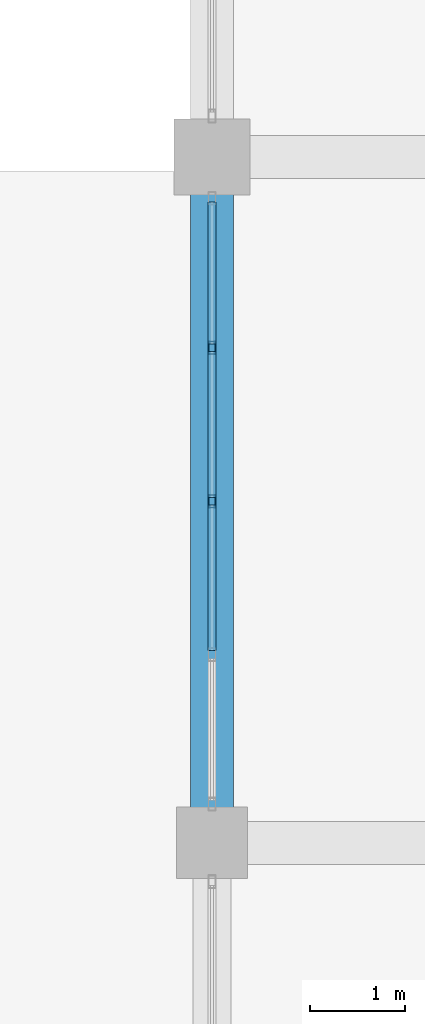
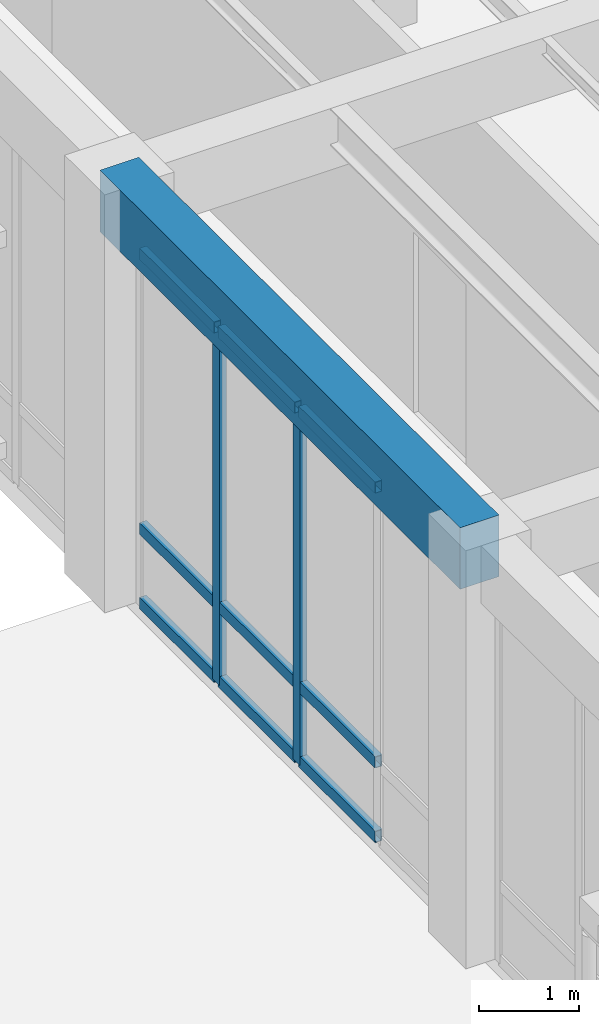
# One storey, part 33 of 169: 11 members, 1 beam, 1 element without a shape of its own.
"""IFC4 building model written with IfcOpenShell, lengths in metres."""

from ifc_helpers import new_model, si_unit, direction, frame, origin, origin_2d, place, context, subcontext, project, spatial, rectangle, hollow_rectangle, extrude, material, layer, layer_set, material_profile, profile_set, type_object, element, aggregate, save


model = new_model("IFC4")

# Units and contexts
model_context = context("Model", 3, precision=1e-05, world=origin(), true_north=direction((0.0, 1.0)))
body_context = subcontext(model_context, "Body", "Model", "MODEL_VIEW")
ifc_project = project(units=[si_unit("LENGTHUNIT", "METRE"), si_unit("AREAUNIT", "SQUARE_METRE"), si_unit("VOLUMEUNIT", "CUBIC_METRE"), si_unit("PLANEANGLEUNIT", "RADIAN"), si_unit("MASSUNIT", "GRAM", prefix="KILO")], contexts=[model_context])

# Site, building, storey
site_placement = place(None, origin())
site = spatial("IfcSite", under=ifc_project, at=site_placement, CompositionType="ELEMENT")
building_placement = place(site_placement, origin())
building = spatial("IfcBuilding", under=site, at=building_placement, Name="Mazaris Harbour Polytechnic", CompositionType="ELEMENT")
storey_placement = place(building_placement, origin())
storey = spatial("IfcBuildingStorey", under=building, at=storey_placement, Name="L00", CompositionType="ELEMENT", Elevation=0.0)

# Curtain wall, members
ifc_material_1 = material(Name="Anodised Bronze Aluminium and Low-E Glass", Category="aluminium")
ifc_layer = layer(ifc_material_1, 0.159912109375, Name="Anodised Bronze Aluminium and Low-E Glass")
ifc_layer_set = layer_set([ifc_layer], Name="Anodised Bronze Aluminium and Low-E Glass")
curtain_wall_type = type_object("IfcCurtainWallType", Name="Cloister Court Curtain Wall", PredefinedType="NOTDEFINED", material=ifc_layer_set)
curtain_wall_placement = place(storey_placement, origin())
curtain_wall = element("IfcCurtainWall", 1, at=curtain_wall_placement, inside=storey, type_object=curtain_wall_type, Name="V4 L00 Curtain Wall 109", PredefinedType="NOTDEFINED")
ifc_material_2 = material(Name="Anodised Bronze Steel S355", Category="steel")
ifc_material_profile_1 = material_profile(ifc_material_2, hollow_rectangle(XDim=0.080078125, YDim=0.139892578125, WallThickness=0.00634765625, at=origin_2d()), Name="RHS 80x140x6.3")
ifc_profile_set_1 = profile_set([ifc_material_profile_1], Name="Anodised Bronze Steel S355")
member_type_1 = type_object("IfcMemberType", Name="Curtain Mullion RHS80x140", PredefinedType="MULLION", material=ifc_profile_set_1)
member_1_placement = place(storey_placement, frame((28.800048828125, 59.19775390625, 0.0), z_axis=(0.0, 0.0, 1.0), x_axis=(1.0, 0.0, 0.0)))
member_1 = element("IfcMember", 2, at=member_1_placement, type_object=member_type_1, Name="CW-02 mullion 2", PredefinedType="MULLION", context=body_context, shape_type="SweptSolid", body=[
    extrude(hollow_rectangle(XDim=0.080078125, YDim=0.139892578125, WallThickness=0.00634765625, at=origin_2d()), origin(), (0.0, 0.0, 1.0), 4.340087890625),
])
member_2_placement = place(storey_placement, frame((28.800048828125, 57.58740234375, 0.0), z_axis=(0.0, 0.0, 1.0), x_axis=(1.0, 0.0, 0.0)))
member_2 = element("IfcMember", 3, at=member_2_placement, type_object=member_type_1, Name="CW-02 mullion 3", PredefinedType="MULLION", context=body_context, shape_type="SweptSolid", body=[
    extrude(hollow_rectangle(XDim=0.080078125, YDim=0.139892578125, WallThickness=0.00634765625, at=origin_2d()), origin(), (0.0, 0.0, 1.0), 4.340087890625),
])
ifc_material_3 = material(Name="Anodised Bronze Steel S355", Category="steel")
ifc_material_profile_2 = material_profile(ifc_material_3, hollow_rectangle(XDim=0.080078125, YDim=0.139892578125, WallThickness=0.00634765625, at=origin_2d()), Name="RHS 80x140x6.3")
ifc_profile_set_2 = profile_set([ifc_material_profile_2], Name="Anodised Bronze Steel S355")
member_type_2 = type_object("IfcMemberType", Name="Curtain Transom RHS80x140", PredefinedType="USERDEFINED", material=ifc_profile_set_2)
member_3_placement = place(storey_placement, frame((28.800048828125, 60.72802734375, 0.0400390625), z_axis=(0.0, -1.0, 0.0), x_axis=(1.0, 0.0, 0.0)))
member_3 = element("IfcMember", 4, at=member_3_placement, type_object=member_type_2, Name="CW-02 transom 1.1", ObjectType="TRANSOM", PredefinedType="USERDEFINED", context=body_context, shape_type="SweptSolid", body=[
    extrude(hollow_rectangle(XDim=0.080078125, YDim=0.139892578125, WallThickness=0.00634765625, at=origin_2d()), origin(), (0.0, 0.0, 1.0), 1.490234375),
])
member_4_placement = place(storey_placement, frame((28.800048828125, 60.72802734375, 0.949951171875), z_axis=(0.0, -1.0, 0.0), x_axis=(1.0, 0.0, 0.0)))
member_4 = element("IfcMember", 5, at=member_4_placement, type_object=member_type_2, Name="CW-02 transom 1.2", ObjectType="TRANSOM", PredefinedType="USERDEFINED", context=body_context, shape_type="SweptSolid", body=[
    extrude(hollow_rectangle(XDim=0.080078125, YDim=0.139892578125, WallThickness=0.00634765625, at=origin_2d()), origin(), (0.0, 0.0, 1.0), 1.490234375),
])
member_5_placement = place(storey_placement, frame((28.800048828125, 60.72802734375, 4.300048828125), z_axis=(0.0, -1.0, 0.0), x_axis=(1.0, 0.0, 0.0)))
member_5 = element("IfcMember", 6, at=member_5_placement, type_object=member_type_2, Name="CW-02 transom 1.3", ObjectType="TRANSOM", PredefinedType="USERDEFINED", context=body_context, shape_type="SweptSolid", body=[
    extrude(hollow_rectangle(XDim=0.080078125, YDim=0.139892578125, WallThickness=0.00634765625, at=origin_2d()), origin(), (0.0, 0.0, 1.0), 1.490234375),
])
member_6_placement = place(storey_placement, frame((28.800048828125, 59.15771484375, 0.0400390625), z_axis=(0.0, -1.0, 0.0), x_axis=(1.0, 0.0, 0.0)))
member_6 = element("IfcMember", 7, at=member_6_placement, type_object=member_type_2, Name="CW-02 transom 2.1", ObjectType="TRANSOM", PredefinedType="USERDEFINED", context=body_context, shape_type="SweptSolid", body=[
    extrude(hollow_rectangle(XDim=0.080078125, YDim=0.139892578125, WallThickness=0.00634765625, at=origin_2d()), origin(), (0.0, 0.0, 1.0), 1.5302734375),
])
member_7_placement = place(storey_placement, frame((28.800048828125, 59.15771484375, 0.949951171875), z_axis=(0.0, -1.0, 0.0), x_axis=(1.0, 0.0, 0.0)))
member_7 = element("IfcMember", 8, at=member_7_placement, type_object=member_type_2, Name="CW-02 transom 2.2", ObjectType="TRANSOM", PredefinedType="USERDEFINED", context=body_context, shape_type="SweptSolid", body=[
    extrude(hollow_rectangle(XDim=0.080078125, YDim=0.139892578125, WallThickness=0.00634765625, at=origin_2d()), origin(), (0.0, 0.0, 1.0), 1.5302734375),
])
member_8_placement = place(storey_placement, frame((28.800048828125, 59.15771484375, 4.300048828125), z_axis=(0.0, -1.0, 0.0), x_axis=(1.0, 0.0, 0.0)))
member_8 = element("IfcMember", 9, at=member_8_placement, type_object=member_type_2, Name="CW-02 transom 2.3", ObjectType="TRANSOM", PredefinedType="USERDEFINED", context=body_context, shape_type="SweptSolid", body=[
    extrude(hollow_rectangle(XDim=0.080078125, YDim=0.139892578125, WallThickness=0.00634765625, at=origin_2d()), origin(), (0.0, 0.0, 1.0), 1.5302734375),
])
member_9_placement = place(storey_placement, frame((28.800048828125, 57.547607421875, 0.0400390625), z_axis=(0.0, -1.0, 0.0), x_axis=(1.0, 0.0, 0.0)))
member_9 = element("IfcMember", 10, at=member_9_placement, type_object=member_type_2, Name="CW-02 transom 3.1", ObjectType="TRANSOM", PredefinedType="USERDEFINED", context=body_context, shape_type="SweptSolid", body=[
    extrude(hollow_rectangle(XDim=0.080078125, YDim=0.139892578125, WallThickness=0.00634765625, at=origin_2d()), origin(), (0.0, 0.0, 1.0), 1.5302734375),
])
member_10_placement = place(storey_placement, frame((28.800048828125, 57.547607421875, 0.949951171875), z_axis=(0.0, -1.0, 0.0), x_axis=(1.0, 0.0, 0.0)))
member_10 = element("IfcMember", 11, at=member_10_placement, type_object=member_type_2, Name="CW-02 transom 3.2", ObjectType="TRANSOM", PredefinedType="USERDEFINED", context=body_context, shape_type="SweptSolid", body=[
    extrude(hollow_rectangle(XDim=0.080078125, YDim=0.139892578125, WallThickness=0.00634765625, at=origin_2d()), origin(), (0.0, 0.0, 1.0), 1.5302734375),
])
member_11_placement = place(storey_placement, frame((28.800048828125, 57.547607421875, 4.300048828125), z_axis=(0.0, -1.0, 0.0), x_axis=(1.0, 0.0, 0.0)))
member_11 = element("IfcMember", 12, at=member_11_placement, type_object=member_type_2, Name="CW-02 transom 3.3", ObjectType="TRANSOM", PredefinedType="USERDEFINED", context=body_context, shape_type="SweptSolid", body=[
    extrude(hollow_rectangle(XDim=0.080078125, YDim=0.139892578125, WallThickness=0.00634765625, at=origin_2d()), origin(), (0.0, 0.0, 1.0), 1.5302734375),
])
aggregate(curtain_wall, [member_1, member_2, member_3, member_4, member_5, member_6, member_7, member_8, member_9, member_10, member_11])

# Beam
ifc_material_4 = material(Name="Concrete C40/50", Category="concrete")
ifc_material_profile_3 = material_profile(ifc_material_4, rectangle(XDim=0.449951171875, YDim=0.75, at=origin_2d()), Name="RECT450x750")
ifc_profile_set_3 = profile_set([ifc_material_profile_3], Name="Concrete C40/50")
beam_type = type_object("IfcBeamType", Name="RC Girder 450x750", PredefinedType="BEAM", material=ifc_profile_set_3)
beam_placement = place(storey_placement, frame((28.800048828125, 54.0, 4.72509765625), z_axis=(0.0, 1.0, 0.0), x_axis=(-1.0, 0.0, 0.0)))
element("IfcBeam", 13, at=beam_placement, inside=storey, type_object=beam_type, Name="V4 L00 Tie Girder 1473", PredefinedType="BEAM", context=body_context, shape_type="SweptSolid", body=[
    extrude(rectangle(XDim=0.449951171875, YDim=0.75, at=origin_2d()), origin(), (0.0, 0.0, 1.0), 7.199951171875),
])

save(model, "model.ifc")
